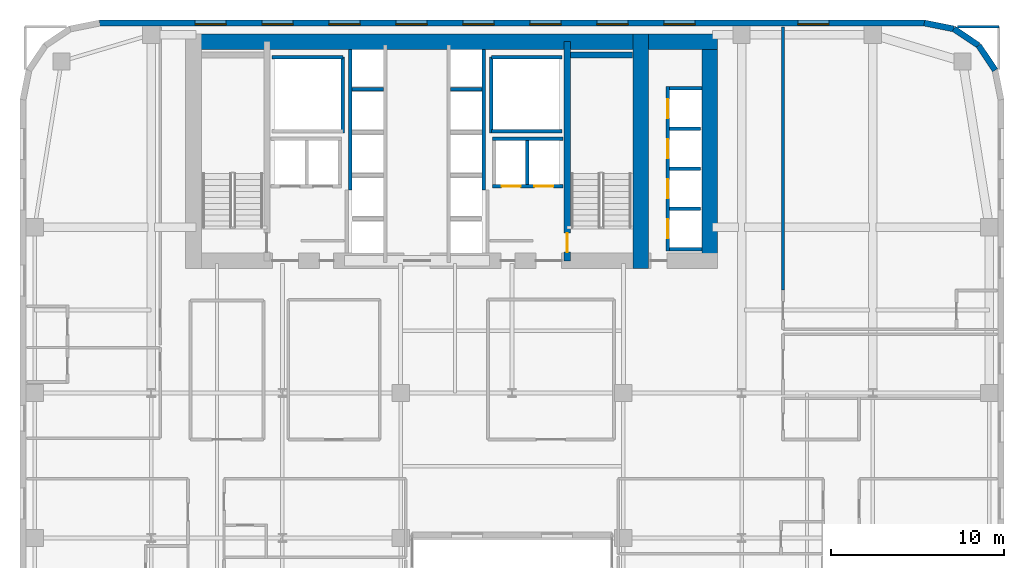
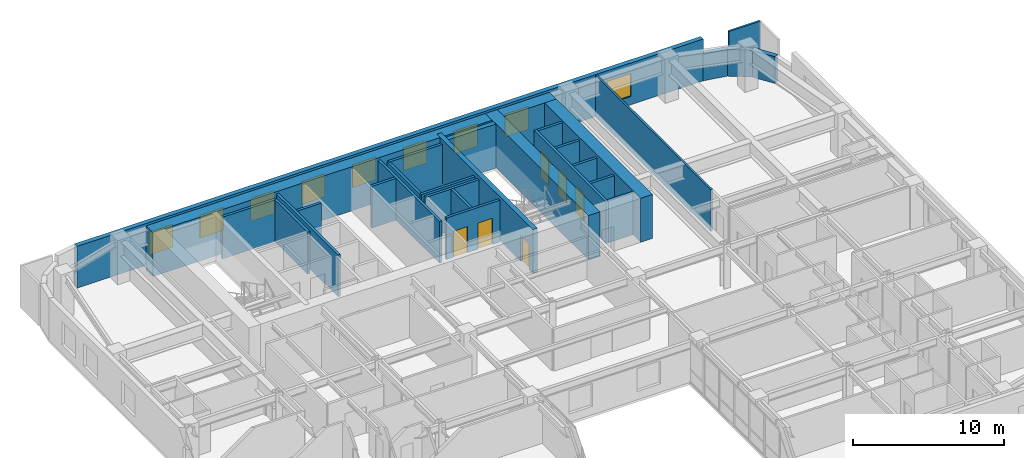
# One storey, part 15 of 17: 30 walls, 9 windows, 7 doors, 16 openings.
"""IFC4 building model written with IfcOpenShell, lengths in metres."""

from ifc_helpers import new_model, si_unit, direction, frame, frame_2d, origin, place, context, subcontext, project, spatial, rectangle, extrude, source, transform, mapped, material, layer, layer_set, type_object, type_shapes, element, fill, save


model = new_model("IFC4")

# Units and contexts
model_context = context("Model", 3, precision=1e-05, world=origin(), true_north=direction((0.0, 1.0)))
body_context = subcontext(model_context, "Body", "Model", "MODEL_VIEW")
ifc_project = project(units=[si_unit("LENGTHUNIT", "METRE"), si_unit("AREAUNIT", "SQUARE_METRE"), si_unit("VOLUMEUNIT", "CUBIC_METRE"), si_unit("PLANEANGLEUNIT", "RADIAN"), si_unit("MASSUNIT", "GRAM", prefix="KILO")], contexts=[model_context])

# Site, building, storey
site_placement = place(None, origin())
site = spatial("IfcSite", under=ifc_project, at=site_placement, CompositionType="ELEMENT")
building_placement = place(site_placement, origin())
building = spatial("IfcBuilding", under=site, at=building_placement, Name="Tolvann Quenvar Hotel", CompositionType="ELEMENT")
storey_placement = place(building_placement, frame((0.0, 0.0, 49.75)))
storey = spatial("IfcBuildingStorey", under=building, at=storey_placement, Name="L11", CompositionType="ELEMENT", Elevation=49.75)

# Walls
ifc_material_1 = material(Name="Concrete S80 (80 MPa)", Category="concrete")
ifc_layer_1 = layer(ifc_material_1, 0.89990234375)
ifc_layer_set_1 = layer_set([ifc_layer_1], Name="Concrete S80 (80 MPa)")
wall_type_1 = type_object("IfcWallType", Name="WALL_CORE_900", PredefinedType="SHEAR", material=ifc_layer_set_1)
wall_1_placement = place(storey_placement, frame((9.60009765625, 44.75, 0.0), z_axis=(0.0, 0.0, 1.0), x_axis=(1.0, 0.0, 0.0)))
element("IfcWall", 1, at=wall_1_placement, inside=storey, type_object=wall_type_1, Name="Rear Core N Shear Wall (L11)", PredefinedType="SHEAR", context=body_context, shape_type="SweptSolid", body=[
    extrude(rectangle(XDim=26.7998046875, YDim=0.89990234375, at=frame_2d((13.39990234375, 0.0))), origin(), (0.0, 0.0, 1.0), 3.550048828125),
])
wall_2_placement = place(storey_placement, frame((35.949951171875, 31.60009765625, 0.0), z_axis=(0.0, 0.0, 1.0), x_axis=(0.0, 1.0, 0.0)))
element("IfcWall", 2, at=wall_2_placement, inside=storey, type_object=wall_type_1, Name="Rear Core E Shear Wall (L11)", PredefinedType="SHEAR", context=body_context, shape_type="SweptSolid", body=[
    extrude(rectangle(XDim=13.599853515625, YDim=0.89990234375, at=frame_2d((6.7998046875, 0.0))), origin(), (0.0, 0.0, 1.0), 3.550048828125),
])
wall_3_placement = place(storey_placement, frame((36.39990234375, 44.75, 0.0), z_axis=(0.0, 0.0, 1.0), x_axis=(1.0, 0.0, 0.0)))
element("IfcWall", 3, at=wall_3_placement, inside=storey, type_object=wall_type_1, Name="Core East Annex Shear Wall ANN-N (L11)", PredefinedType="SHEAR", context=body_context, shape_type="SweptSolid", body=[
    extrude(rectangle(XDim=4.0, YDim=0.89990234375, at=frame_2d((2.0, 0.0))), origin(), (0.0, 0.0, 1.0), 3.550048828125),
])
wall_4_placement = place(storey_placement, frame((39.949951171875, 31.60009765625, 0.0), z_axis=(0.0, 0.0, 1.0), x_axis=(0.0, 1.0, 0.0)))
element("IfcWall", 4, at=wall_4_placement, inside=storey, type_object=wall_type_1, Name="Core East Annex Shear Wall ANN-E (L11)", PredefinedType="SHEAR", context=body_context, shape_type="SweptSolid", body=[
    extrude(rectangle(XDim=13.599853515625, YDim=0.89990234375, at=frame_2d((6.7998046875, 0.0))), origin(), (0.0, 0.0, 1.0), 3.550048828125),
])

# Wall, opening, door
ifc_material_2 = material(Name="Concrete S65 (65 MPa)", Category="concrete")
ifc_layer_2 = layer(ifc_material_2, 0.35009765625)
ifc_layer_set_2 = layer_set([ifc_layer_2], Name="Concrete S65 (65 MPa)")
wall_type_2 = type_object("IfcWallType", Name="WALL_CORE_INT_350", PredefinedType="SHEAR", material=ifc_layer_set_2)
wall_5_placement = place(storey_placement, frame((31.699951171875, 32.050048828125, 0.0), z_axis=(0.0, 0.0, 1.0), x_axis=(0.0, 1.0, 0.0)))
wall_5 = element("IfcWall", 5, at=wall_5_placement, inside=storey, type_object=wall_type_2, Name="Core Internal Web Shear Wall WEB-E (L11)", PredefinedType="SHEAR", context=body_context, shape_type="SweptSolid", body=[
    extrude(rectangle(XDim=12.699951171875, YDim=0.35009765625, at=frame_2d((6.35009765625, 0.0))), origin(), (0.0, 0.0, 1.0), 3.550048828125),
])
opening_1_placement = place(wall_5_placement, frame((1.60009765625, 0.0, 0.0), z_axis=(0.0, 0.0, 1.0), x_axis=(-1.0, 0.0, 0.0)))
opening_1 = element("IfcOpeningElement", 6, at=opening_1_placement, cuts=wall_5, Name="Opening FD-120", PredefinedType="OPENING", context=body_context, shape_type="SweptSolid", body=[
    extrude(rectangle(XDim=1.10009765625, YDim=2.1201171875, at=frame_2d((0.550048828125, 1.06005859375))), frame((0.0, 0.18505859375, 0.0), z_axis=(0.0, -1.0, 0.0), x_axis=(1.0, 0.0, 0.0)), (0.0, 0.0, 1.0), 0.3701171875),
])
ifc_material_3 = material(Name="Pressed galvanised steel fire-rated door set", Category="steel")
door_type_1 = type_object("IfcDoorType", Name="DOOR_FIRE_STAIR_1100", OperationType="NOTDEFINED", PredefinedType="DOOR", material=ifc_material_3)
shared_shape_1 = source(origin(), body_context, "Body", "SweptSolid", [
    extrude(rectangle(XDim=1.10009765625, YDim=2.1201171875, at=frame_2d((0.550048828125, 1.06005859375))), frame((0.0, 0.02490234375, 0.0), z_axis=(0.0, -1.0, 0.0), x_axis=(1.0, 0.0, 0.0)), (0.0, 0.0, 1.0), 0.050048828125),
])
type_shapes(door_type_1, [shared_shape_1])
door_1_placement = place(opening_1_placement, origin())
door_1 = element("IfcDoor", 7, at=door_1_placement, inside=storey, type_object=door_type_1, Name="Exit Stair ST-C2 Fire Door (L11)", OperationType="SINGLE_SWING_RIGHT", OverallHeight=2.1201171875, OverallWidth=1.10009765625, PredefinedType="DOOR", context=body_context, shape_type="MappedRepresentation", body=[
    mapped(shared_shape_1, transform((0.0, 0.0, 0.0), x_axis=(1.0, 0.0, 0.0), y_axis=(0.0, 1.0, 0.0), z_axis=(0.0, 0.0, 1.0), scale=1.0)),
])
fill(opening_1, door_1)

# Walls
wall_6_placement = place(storey_placement, frame((31.8798828125, 43.97509765625, 0.0), z_axis=(0.0, 0.0, 1.0), x_axis=(1.0, 0.0, 0.0)))
element("IfcWall", 8, at=wall_6_placement, inside=storey, type_object=wall_type_2, Name="Core Stair North Closing Shear Wall STC2-N (L11)", PredefinedType="SHEAR", context=body_context, shape_type="SweptSolid", body=[
    extrude(rectangle(XDim=3.60009765625, YDim=0.35009765625, at=frame_2d((1.800048828125, 0.0))), origin(), (0.0, 0.0, 1.0), 3.550048828125),
])
ifc_material_4 = material(Name="Kiln-fired red and buff architectural clay brickwork and terracotta masonry", Category="masonry")
ifc_layer_3 = layer(ifc_material_4, 0.35009765625)
ifc_layer_set_3 = layer_set([ifc_layer_3], Name="Kiln-fired red and buff architectural clay brickwork and terracotta masonry")
wall_type_3 = type_object("IfcWallType", Name="WALL_EXT_BRICK_350", PredefinedType="SOLIDWALL", material=ifc_layer_set_3)
for number, where, z_axis, x_axis, name in (
    (9, (56.485107421875, 43.092041015625, 0.0), (0.0, 0.0, 1.0), (-0.55554893791, 0.831483840845, 0.0), "Exterior Chicago Brick Wall L11-E15"),
    (10, (55.526611328125, 44.526611328125, 0.0), (0.0, 0.0, 1.0), (-0.831483840845, 0.55554893791, 0.0), "Exterior Chicago Brick Wall L11-E16"),
):
    element("IfcWall", number, at=place(storey_placement, frame(where, z_axis=z_axis, x_axis=x_axis)), inside=storey, type_object=wall_type_3, Name=name, PredefinedType="SOLIDWALL", context=body_context, shape_type="SweptSolid", body=[
        extrude(rectangle(XDim=1.725341796875, YDim=0.35009765625, at=frame_2d((0.86279296875, 0.0))), origin(), (0.0, 0.0, 1.0), 2.159912109375),
    ])
wall_7_placement = place(storey_placement, frame((54.092041015625, 45.485107421875, 0.0), z_axis=(0.0, 0.0, 1.0), x_axis=(-0.980800971659, 0.195011420161, 0.0)))
element("IfcWall", 11, at=wall_7_placement, inside=storey, type_object=wall_type_3, Name="Exterior Chicago Brick Wall L11-E17", PredefinedType="SOLIDWALL", context=body_context, shape_type="SweptSolid", body=[
    extrude(rectangle(XDim=1.74267578125, YDim=0.35009765625, at=frame_2d((0.871337890625, 0.0))), origin(), (0.0, 0.0, 1.0), 2.159912109375),
])

# Wall, openings, windows
wall_8_placement = place(storey_placement, frame((52.3828125, 45.824951171875, 0.0), z_axis=(0.0, 0.0, 1.0), x_axis=(-1.0, 0.0, 0.0)))
wall_8 = element("IfcWall", 12, at=wall_8_placement, inside=storey, type_object=wall_type_3, Name="Exterior Chicago Brick Wall L11-E18", PredefinedType="SOLIDWALL", context=body_context, shape_type="SweptSolid", body=[
    extrude(rectangle(XDim=47.765625, YDim=0.35009765625, at=frame_2d((23.8828125, 0.0))), origin(), (0.0, 0.0, 1.0), 3.3701171875),
])
opening_2_placement = place(wall_8_placement, frame((5.52099609375, 0.0, 0.679931640625)))
opening_2 = element("IfcOpeningElement", 13, at=opening_2_placement, cuts=wall_8, Name="Opening W-03", PredefinedType="OPENING", context=body_context, shape_type="SweptSolid", body=[
    extrude(rectangle(XDim=1.800048828125, YDim=1.85009765625, at=frame_2d((0.89990234375, 0.925048828125))), frame((0.0, 0.18505859375, 0.0), z_axis=(0.0, -1.0, 0.0), x_axis=(1.0, 0.0, 0.0)), (0.0, 0.0, 1.0), 0.3701171875),
])
opening_3_placement = place(wall_8_placement, frame((13.281982421875, 0.0, 0.679931640625)))
opening_3 = element("IfcOpeningElement", 14, at=opening_3_placement, cuts=wall_8, Name="Opening W-03", PredefinedType="OPENING", context=body_context, shape_type="SweptSolid", body=[
    extrude(rectangle(XDim=1.800048828125, YDim=1.85009765625, at=frame_2d((0.89990234375, 0.925048828125))), frame((0.0, 0.18505859375, 0.0), z_axis=(0.0, -1.0, 0.0), x_axis=(1.0, 0.0, 0.0)), (0.0, 0.0, 1.0), 0.3701171875),
])
opening_4_placement = place(wall_8_placement, frame((17.162109375, 0.0, 0.679931640625)))
opening_4 = element("IfcOpeningElement", 15, at=opening_4_placement, cuts=wall_8, Name="Opening W-03", PredefinedType="OPENING", context=body_context, shape_type="SweptSolid", body=[
    extrude(rectangle(XDim=1.800048828125, YDim=1.85009765625, at=frame_2d((0.89990234375, 0.925048828125))), frame((0.0, 0.18505859375, 0.0), z_axis=(0.0, -1.0, 0.0), x_axis=(1.0, 0.0, 0.0)), (0.0, 0.0, 1.0), 0.3701171875),
])
opening_5_placement = place(wall_8_placement, frame((21.04296875, 0.0, 0.679931640625)))
opening_5 = element("IfcOpeningElement", 16, at=opening_5_placement, cuts=wall_8, Name="Opening W-03", PredefinedType="OPENING", context=body_context, shape_type="SweptSolid", body=[
    extrude(rectangle(XDim=1.800048828125, YDim=1.85009765625, at=frame_2d((0.89990234375, 0.925048828125))), frame((0.0, 0.18505859375, 0.0), z_axis=(0.0, -1.0, 0.0), x_axis=(1.0, 0.0, 0.0)), (0.0, 0.0, 1.0), 0.3701171875),
])
opening_6_placement = place(wall_8_placement, frame((24.923095703125, 0.0, 0.679931640625)))
opening_6 = element("IfcOpeningElement", 17, at=opening_6_placement, cuts=wall_8, Name="Opening W-03", PredefinedType="OPENING", context=body_context, shape_type="SweptSolid", body=[
    extrude(rectangle(XDim=1.800048828125, YDim=1.85009765625, at=frame_2d((0.89990234375, 0.925048828125))), frame((0.0, 0.18505859375, 0.0), z_axis=(0.0, -1.0, 0.0), x_axis=(1.0, 0.0, 0.0)), (0.0, 0.0, 1.0), 0.3701171875),
])
opening_7_placement = place(wall_8_placement, frame((28.803955078125, 0.0, 0.679931640625)))
opening_7 = element("IfcOpeningElement", 18, at=opening_7_placement, cuts=wall_8, Name="Opening W-03", PredefinedType="OPENING", context=body_context, shape_type="SweptSolid", body=[
    extrude(rectangle(XDim=1.800048828125, YDim=1.85009765625, at=frame_2d((0.89990234375, 0.925048828125))), frame((0.0, 0.18505859375, 0.0), z_axis=(0.0, -1.0, 0.0), x_axis=(1.0, 0.0, 0.0)), (0.0, 0.0, 1.0), 0.3701171875),
])
opening_8_placement = place(wall_8_placement, frame((32.68408203125, 0.0, 0.679931640625)))
opening_8 = element("IfcOpeningElement", 19, at=opening_8_placement, cuts=wall_8, Name="Opening W-03", PredefinedType="OPENING", context=body_context, shape_type="SweptSolid", body=[
    extrude(rectangle(XDim=1.800048828125, YDim=1.85009765625, at=frame_2d((0.89990234375, 0.925048828125))), frame((0.0, 0.18505859375, 0.0), z_axis=(0.0, -1.0, 0.0), x_axis=(1.0, 0.0, 0.0)), (0.0, 0.0, 1.0), 0.3701171875),
])
opening_9_placement = place(wall_8_placement, frame((36.56396484375, 0.0, 0.679931640625)))
opening_9 = element("IfcOpeningElement", 20, at=opening_9_placement, cuts=wall_8, Name="Opening W-03", PredefinedType="OPENING", context=body_context, shape_type="SweptSolid", body=[
    extrude(rectangle(XDim=1.800048828125, YDim=1.85009765625, at=frame_2d((0.89990234375, 0.925048828125))), frame((0.0, 0.18505859375, 0.0), z_axis=(0.0, -1.0, 0.0), x_axis=(1.0, 0.0, 0.0)), (0.0, 0.0, 1.0), 0.3701171875),
])
opening_10_placement = place(wall_8_placement, frame((40.445068359375, 0.0, 0.679931640625)))
opening_10 = element("IfcOpeningElement", 21, at=opening_10_placement, cuts=wall_8, Name="Opening W-03", PredefinedType="OPENING", context=body_context, shape_type="SweptSolid", body=[
    extrude(rectangle(XDim=1.800048828125, YDim=1.85009765625, at=frame_2d((0.89990234375, 0.925048828125))), frame((0.0, 0.18505859375, 0.0), z_axis=(0.0, -1.0, 0.0), x_axis=(1.0, 0.0, 0.0)), (0.0, 0.0, 1.0), 0.3701171875),
])
ifc_material_5 = material(Name="Thermally broken bronze-anodised aluminium frame with double low-E glazing", Category="aluminium")
window_type = type_object("IfcWindowType", Name="WIN_CHI_1800x2050", PartitioningType="TRIPLE_PANEL_HORIZONTAL", PredefinedType="WINDOW", material=ifc_material_5)
shared_shape_2 = source(origin(), body_context, "Body", "SweptSolid", [
    extrude(rectangle(XDim=1.800048828125, YDim=1.85009765625, at=frame_2d((0.89990234375, 0.925048828125))), frame((0.0, 0.090087890625, 0.0), z_axis=(0.0, -1.0, 0.0), x_axis=(1.0, 0.0, 0.0)), (0.0, 0.0, 1.0), 0.06005859375),
])
type_shapes(window_type, [shared_shape_2])
window_1_placement = place(opening_2_placement, origin())
window_1 = element("IfcWindow", 22, at=window_1_placement, inside=storey, type_object=window_type, Name="Chicago Window W-03 (EW-L11-E18-W01)", OverallHeight=1.85009765625, OverallWidth=1.800048828125, PartitioningType="TRIPLE_PANEL_HORIZONTAL", PredefinedType="WINDOW", context=body_context, shape_type="MappedRepresentation", body=[
    mapped(shared_shape_2, transform((0.0, 0.0, 0.0), x_axis=(1.0, 0.0, 0.0), y_axis=(0.0, 1.0, 0.0), z_axis=(0.0, 0.0, 1.0), scale=1.0)),
])
fill(opening_2, window_1)
window_2_placement = place(opening_3_placement, origin())
window_2 = element("IfcWindow", 23, at=window_2_placement, inside=storey, type_object=window_type, Name="Chicago Window W-03 (EW-L11-E18-W02)", OverallHeight=1.85009765625, OverallWidth=1.800048828125, PartitioningType="TRIPLE_PANEL_HORIZONTAL", PredefinedType="WINDOW", context=body_context, shape_type="MappedRepresentation", body=[
    mapped(shared_shape_2, transform((0.0, 0.0, 0.0), x_axis=(1.0, 0.0, 0.0), y_axis=(0.0, 1.0, 0.0), z_axis=(0.0, 0.0, 1.0), scale=1.0)),
])
fill(opening_3, window_2)
window_3_placement = place(opening_4_placement, origin())
window_3 = element("IfcWindow", 24, at=window_3_placement, inside=storey, type_object=window_type, Name="Chicago Window W-03 (EW-L11-E18-W03)", OverallHeight=1.85009765625, OverallWidth=1.800048828125, PartitioningType="TRIPLE_PANEL_HORIZONTAL", PredefinedType="WINDOW", context=body_context, shape_type="MappedRepresentation", body=[
    mapped(shared_shape_2, transform((0.0, 0.0, 0.0), x_axis=(1.0, 0.0, 0.0), y_axis=(0.0, 1.0, 0.0), z_axis=(0.0, 0.0, 1.0), scale=1.0)),
])
fill(opening_4, window_3)
window_4_placement = place(opening_5_placement, origin())
window_4 = element("IfcWindow", 25, at=window_4_placement, inside=storey, type_object=window_type, Name="Chicago Window W-03 (EW-L11-E18-W04)", OverallHeight=1.85009765625, OverallWidth=1.800048828125, PartitioningType="TRIPLE_PANEL_HORIZONTAL", PredefinedType="WINDOW", context=body_context, shape_type="MappedRepresentation", body=[
    mapped(shared_shape_2, transform((0.0, 0.0, 0.0), x_axis=(1.0, 0.0, 0.0), y_axis=(0.0, 1.0, 0.0), z_axis=(0.0, 0.0, 1.0), scale=1.0)),
])
fill(opening_5, window_4)
window_5_placement = place(opening_6_placement, origin())
window_5 = element("IfcWindow", 26, at=window_5_placement, inside=storey, type_object=window_type, Name="Chicago Window W-03 (EW-L11-E18-W05)", OverallHeight=1.85009765625, OverallWidth=1.800048828125, PartitioningType="TRIPLE_PANEL_HORIZONTAL", PredefinedType="WINDOW", context=body_context, shape_type="MappedRepresentation", body=[
    mapped(shared_shape_2, transform((0.0, 0.0, 0.0), x_axis=(1.0, 0.0, 0.0), y_axis=(0.0, 1.0, 0.0), z_axis=(0.0, 0.0, 1.0), scale=1.0)),
])
fill(opening_6, window_5)
window_6_placement = place(opening_7_placement, origin())
window_6 = element("IfcWindow", 27, at=window_6_placement, inside=storey, type_object=window_type, Name="Chicago Window W-03 (EW-L11-E18-W06)", OverallHeight=1.85009765625, OverallWidth=1.800048828125, PartitioningType="TRIPLE_PANEL_HORIZONTAL", PredefinedType="WINDOW", context=body_context, shape_type="MappedRepresentation", body=[
    mapped(shared_shape_2, transform((0.0, 0.0, 0.0), x_axis=(1.0, 0.0, 0.0), y_axis=(0.0, 1.0, 0.0), z_axis=(0.0, 0.0, 1.0), scale=1.0)),
])
fill(opening_7, window_6)
window_7_placement = place(opening_8_placement, origin())
window_7 = element("IfcWindow", 28, at=window_7_placement, inside=storey, type_object=window_type, Name="Chicago Window W-03 (EW-L11-E18-W07)", OverallHeight=1.85009765625, OverallWidth=1.800048828125, PartitioningType="TRIPLE_PANEL_HORIZONTAL", PredefinedType="WINDOW", context=body_context, shape_type="MappedRepresentation", body=[
    mapped(shared_shape_2, transform((0.0, 0.0, 0.0), x_axis=(1.0, 0.0, 0.0), y_axis=(0.0, 1.0, 0.0), z_axis=(0.0, 0.0, 1.0), scale=1.0)),
])
fill(opening_8, window_7)
window_8_placement = place(opening_9_placement, origin())
window_8 = element("IfcWindow", 29, at=window_8_placement, inside=storey, type_object=window_type, Name="Chicago Window W-03 (EW-L11-E18-W08)", OverallHeight=1.85009765625, OverallWidth=1.800048828125, PartitioningType="TRIPLE_PANEL_HORIZONTAL", PredefinedType="WINDOW", context=body_context, shape_type="MappedRepresentation", body=[
    mapped(shared_shape_2, transform((0.0, 0.0, 0.0), x_axis=(1.0, 0.0, 0.0), y_axis=(0.0, 1.0, 0.0), z_axis=(0.0, 0.0, 1.0), scale=1.0)),
])
fill(opening_9, window_8)
window_9_placement = place(opening_10_placement, origin())
window_9 = element("IfcWindow", 30, at=window_9_placement, inside=storey, type_object=window_type, Name="Chicago Window W-03 (EW-L11-E18-W09)", OverallHeight=1.85009765625, OverallWidth=1.800048828125, PartitioningType="TRIPLE_PANEL_HORIZONTAL", PredefinedType="WINDOW", context=body_context, shape_type="MappedRepresentation", body=[
    mapped(shared_shape_2, transform((0.0, 0.0, 0.0), x_axis=(1.0, 0.0, 0.0), y_axis=(0.0, 1.0, 0.0), z_axis=(0.0, 0.0, 1.0), scale=1.0)),
])
fill(opening_10, window_9)

# Walls
ifc_material_6 = material(Name="Acoustic twin-stud fire-rated gypsum plasterboard partition")
ifc_layer_4 = layer(ifc_material_6, 0.14990234375)
ifc_layer_set_4 = layer_set([ifc_layer_4], Name="Acoustic twin-stud fire-rated gypsum plasterboard partition")
wall_type_4 = type_object("IfcWallType", Name="WALL_PART_SUITE_150", PredefinedType="PARTITIONING", material=ifc_layer_set_4)
wall_9_placement = place(storey_placement, frame((54.303955078125, 45.6201171875, 0.0), z_axis=(0.0, 0.0, 1.0), x_axis=(1.0, 0.0, 0.0)))
element("IfcWall", 31, at=wall_9_placement, inside=storey, type_object=wall_type_4, Name="Interior Partition PT-SPC-L11-RM-NE01-E5", PredefinedType="PARTITIONING", context=body_context, shape_type="SweptSolid", body=[
    extrude(rectangle(XDim=2.39599609375, YDim=0.14990234375, at=frame_2d((1.197998046875, 0.0))), origin(), (0.0, 0.0, 1.0), 3.3701171875),
])
wall_10_placement = place(storey_placement, frame((44.199951171875, 30.3701171875, 0.0), z_axis=(0.0, 0.0, 1.0), x_axis=(0.0, 1.0, 0.0)))
element("IfcWall", 32, at=wall_10_placement, inside=storey, type_object=wall_type_4, Name="Interior Partition PT-SPC-L11-RM-NE01-E6", PredefinedType="PARTITIONING", context=body_context, shape_type="SweptSolid", body=[
    extrude(rectangle(XDim=15.224853515625, YDim=0.14990234375, at=frame_2d((7.6123046875, 0.0))), origin(), (0.0, 0.0, 1.0), 3.3701171875),
])
ifc_material_7 = material(Name="Concrete N40 (40 MPa)", Category="concrete")
ifc_layer_5 = layer(ifc_material_7, 0.199951171875)
ifc_layer_set_5 = layer_set([ifc_layer_5], Name="Concrete N40 (40 MPa)")
wall_type_5 = type_object("IfcWallType", Name="WALL_SHAFT_200", PredefinedType="SOLIDWALL", material=ifc_layer_set_5)
wall_11_placement = place(storey_placement, frame((18.699951171875, 39.449951171875, 0.0), z_axis=(0.0, 0.0, 1.0), x_axis=(0.0, 1.0, 0.0)))
element("IfcWall", 33, at=wall_11_placement, inside=storey, type_object=wall_type_5, Name="Service Riser W Shaft Wall IN (L11)", PredefinedType="SOLIDWALL", context=body_context, shape_type="SweptSolid", body=[
    extrude(rectangle(XDim=4.400146484375, YDim=0.199951171875, at=frame_2d((2.2001953125, 0.0))), origin(), (0.0, 0.0, 1.0), 3.3701171875),
])
wall_12_placement = place(storey_placement, frame((14.60009765625, 43.85009765625, 0.0), z_axis=(0.0, 0.0, 1.0), x_axis=(1.0, 0.0, 0.0)))
element("IfcWall", 34, at=wall_12_placement, inside=storey, type_object=wall_type_5, Name="Service Riser W Shaft Wall N (L11)", PredefinedType="SOLIDWALL", context=body_context, shape_type="SweptSolid", body=[
    extrude(rectangle(XDim=4.099853515625, YDim=0.199951171875, at=frame_2d((2.0498046875, 0.0))), origin(), (0.0, 0.0, 1.0), 3.3701171875),
])
wall_13_placement = place(storey_placement, frame((27.300048828125, 39.449951171875, 0.0), z_axis=(0.0, 0.0, 1.0), x_axis=(0.0, 1.0, 0.0)))
element("IfcWall", 35, at=wall_13_placement, inside=storey, type_object=wall_type_5, Name="Service Riser E Shaft Wall IN (L11)", PredefinedType="SOLIDWALL", context=body_context, shape_type="SweptSolid", body=[
    extrude(rectangle(XDim=4.400146484375, YDim=0.199951171875, at=frame_2d((2.2001953125, 0.0))), origin(), (0.0, 0.0, 1.0), 3.3701171875),
])
for number, where, z_axis, x_axis, name in (
    (36, (27.300048828125, 39.550048828125, 0.0), (0.0, 0.0, 1.0), (1.0, 0.0, 0.0), "Service Riser E Shaft Wall S (L11)"),
    (37, (27.300048828125, 43.85009765625, 0.0), (0.0, 0.0, 1.0), (1.0, 0.0, 0.0), "Service Riser E Shaft Wall N (L11)"),
):
    element("IfcWall", number, at=place(storey_placement, frame(where, z_axis=z_axis, x_axis=x_axis)), inside=storey, type_object=wall_type_5, Name=name, PredefinedType="SOLIDWALL", context=body_context, shape_type="SweptSolid", body=[
        extrude(rectangle(XDim=4.099853515625, YDim=0.199951171875, at=frame_2d((2.0498046875, 0.0))), origin(), (0.0, 0.0, 1.0), 3.3701171875),
    ])
wall_14_placement = place(storey_placement, frame((19.1298828125, 36.159912109375, 0.0), z_axis=(0.0, 0.0, 1.0), x_axis=(0.0, 1.0, 0.0)))
element("IfcWall", 38, at=wall_14_placement, inside=storey, type_object=wall_type_5, Name="Lift Bank E21.1C1 Hoistway Rear Wall (L11)", PredefinedType="SOLIDWALL", context=body_context, shape_type="SweptSolid", body=[
    extrude(rectangle(XDim=8.135986328125, YDim=0.199951171875, at=frame_2d((4.06787109375, 0.0))), origin(), (0.0, 0.0, 1.0), 3.3701171875),
])
wall_15_placement = place(storey_placement, frame((19.22998046875, 42.0, 0.0), z_axis=(0.0, 0.0, 1.0), x_axis=(1.0, 0.0, 0.0)))
element("IfcWall", 39, at=wall_15_placement, inside=storey, type_object=wall_type_5, Name="Lift Bank E21.1C1 Divider Wall 4 (L11)", PredefinedType="SOLIDWALL", context=body_context, shape_type="SweptSolid", body=[
    extrude(rectangle(XDim=1.840087890625, YDim=0.199951171875, at=frame_2d((0.919921875, 0.0))), origin(), (0.0, 0.0, 1.0), 3.3701171875),
])

# Wall, openings, doors
wall_16_placement = place(storey_placement, frame((27.375, 36.3798828125, 0.0), z_axis=(0.0, 0.0, 1.0), x_axis=(1.0, 0.0, 0.0)))
wall_16 = element("IfcWall", 40, at=wall_16_placement, inside=storey, type_object=wall_type_5, Name="Lift Bank SEC1 Hoistway Front Wall (L11)", PredefinedType="SOLIDWALL", context=body_context, shape_type="SweptSolid", body=[
    extrude(rectangle(XDim=4.074951171875, YDim=0.199951171875, at=frame_2d((2.03759765625, 0.0))), origin(), (0.0, 0.0, 1.0), 3.3701171875),
])
opening_11_placement = place(wall_16_placement, frame((0.52490234375, 0.0, 0.0)))
opening_11 = element("IfcOpeningElement", 41, at=opening_11_placement, cuts=wall_16, Name="Opening LD-01", PredefinedType="OPENING", context=body_context, shape_type="SweptSolid", body=[
    extrude(rectangle(XDim=1.10009765625, YDim=2.1201171875, at=frame_2d((0.550048828125, 1.06005859375))), frame((0.0, 0.10986328125, 0.0), z_axis=(0.0, -1.0, 0.0), x_axis=(1.0, 0.0, 0.0)), (0.0, 0.0, 1.0), 0.219970703125),
])
opening_12_placement = place(wall_16_placement, frame((2.425048828125, 0.0, 0.0)))
opening_12 = element("IfcOpeningElement", 42, at=opening_12_placement, cuts=wall_16, Name="Opening LD-01", PredefinedType="OPENING", context=body_context, shape_type="SweptSolid", body=[
    extrude(rectangle(XDim=1.10009765625, YDim=2.1201171875, at=frame_2d((0.550048828125, 1.06005859375))), frame((0.0, 0.10986328125, 0.0), z_axis=(0.0, -1.0, 0.0), x_axis=(1.0, 0.0, 0.0)), (0.0, 0.0, 1.0), 0.219970703125),
])
ifc_material_8 = material(Name="Brushed 316 stainless steel automatic sliding lift landing door", Category="steel")
door_type_2 = type_object("IfcDoorType", Name="DOOR_LIFT_SLIDE_1100", OperationType="NOTDEFINED", PredefinedType="DOOR", material=ifc_material_8)
shared_shape_3 = source(origin(), body_context, "Body", "SweptSolid", [
    extrude(rectangle(XDim=1.10009765625, YDim=2.1201171875, at=frame_2d((0.550048828125, 1.06005859375))), frame((0.0, 0.02490234375, 0.0), z_axis=(0.0, -1.0, 0.0), x_axis=(1.0, 0.0, 0.0)), (0.0, 0.0, 1.0), 0.050048828125),
])
type_shapes(door_type_2, [shared_shape_3])
door_2_placement = place(opening_11_placement, origin())
door_2 = element("IfcDoor", 43, at=door_2_placement, inside=storey, type_object=door_type_2, Name="Lift SV-2 Sliding Landing Door (L11)", OperationType="SLIDING_TO_LEFT", OverallHeight=2.1201171875, OverallWidth=1.10009765625, PredefinedType="DOOR", context=body_context, shape_type="MappedRepresentation", body=[
    mapped(shared_shape_3, transform((0.0, 0.0, 0.0), x_axis=(1.0, 0.0, 0.0), y_axis=(0.0, 1.0, 0.0), z_axis=(0.0, 0.0, 1.0), scale=1.0)),
])
fill(opening_11, door_2)
door_3_placement = place(opening_12_placement, origin())
door_3 = element("IfcDoor", 44, at=door_3_placement, inside=storey, type_object=door_type_2, Name="Lift FF-2 Sliding Landing Door (L11)", OperationType="SLIDING_TO_RIGHT", OverallHeight=2.1201171875, OverallWidth=1.10009765625, PredefinedType="DOOR", context=body_context, shape_type="MappedRepresentation", body=[
    mapped(shared_shape_3, transform((0.0, 0.0, 0.0), x_axis=(1.0, 0.0, 0.0), y_axis=(0.0, 1.0, 0.0), z_axis=(0.0, 0.0, 1.0), scale=1.0)),
])
fill(opening_12, door_3)

# Walls
wall_17_placement = place(storey_placement, frame((27.375, 39.1201171875, 0.0), z_axis=(0.0, 0.0, 1.0), x_axis=(1.0, 0.0, 0.0)))
element("IfcWall", 45, at=wall_17_placement, inside=storey, type_object=wall_type_5, Name="Lift Bank SEC1 Hoistway Rear Wall (L11)", PredefinedType="SOLIDWALL", context=body_context, shape_type="SweptSolid", body=[
    extrude(rectangle(XDim=4.074951171875, YDim=0.199951171875, at=frame_2d((2.03759765625, 0.0))), origin(), (0.0, 0.0, 1.0), 3.3701171875),
])
wall_18_placement = place(storey_placement, frame((29.387451171875, 36.47998046875, 0.0), z_axis=(0.0, 0.0, 1.0), x_axis=(0.0, 1.0, 0.0)))
element("IfcWall", 46, at=wall_18_placement, inside=storey, type_object=wall_type_5, Name="Lift Bank SEC1 Divider Wall 1 (L11)", PredefinedType="SOLIDWALL", context=body_context, shape_type="SweptSolid", body=[
    extrude(rectangle(XDim=2.5400390625, YDim=0.199951171875, at=frame_2d((1.27001953125, 0.0))), origin(), (0.0, 0.0, 1.0), 3.3701171875),
])
wall_19_placement = place(storey_placement, frame((26.8701171875, 36.159912109375, 0.0), z_axis=(0.0, 0.0, 1.0), x_axis=(0.0, 1.0, 0.0)))
element("IfcWall", 47, at=wall_19_placement, inside=storey, type_object=wall_type_5, Name="Lift Bank W24.9C1 Hoistway Rear Wall (L11)", PredefinedType="SOLIDWALL", context=body_context, shape_type="SweptSolid", body=[
    extrude(rectangle(XDim=8.135986328125, YDim=0.199951171875, at=frame_2d((4.06787109375, 0.0))), origin(), (0.0, 0.0, 1.0), 3.3701171875),
])
wall_20_placement = place(storey_placement, frame((24.929931640625, 42.0, 0.0), z_axis=(0.0, 0.0, 1.0), x_axis=(1.0, 0.0, 0.0)))
element("IfcWall", 48, at=wall_20_placement, inside=storey, type_object=wall_type_5, Name="Lift Bank W24.9C1 Divider Wall 4 (L11)", PredefinedType="SOLIDWALL", context=body_context, shape_type="SweptSolid", body=[
    extrude(rectangle(XDim=1.840087890625, YDim=0.199951171875, at=frame_2d((0.919921875, 0.0))), origin(), (0.0, 0.0, 1.0), 3.3701171875),
])

# Wall, openings, doors
wall_21_placement = place(storey_placement, frame((37.530029296875, 32.610107421875, 0.0), z_axis=(0.0, 0.0, 1.0), x_axis=(0.0, 1.0, 0.0)))
wall_21 = element("IfcWall", 49, at=wall_21_placement, inside=storey, type_object=wall_type_5, Name="Lift Bank W37.6C1 Hoistway Front Wall (L11)", PredefinedType="SOLIDWALL", context=body_context, shape_type="SweptSolid", body=[
    extrude(rectangle(XDim=9.539794921875, YDim=0.199951171875, at=frame_2d((4.77001953125, 0.0))), origin(), (0.0, 0.0, 1.0), 3.3701171875),
])
opening_13_placement = place(wall_21_placement, frame((0.739990234375, 0.0, 0.0)))
opening_13 = element("IfcOpeningElement", 50, at=opening_13_placement, cuts=wall_21, Name="Opening LD-01", PredefinedType="OPENING", context=body_context, shape_type="SweptSolid", body=[
    extrude(rectangle(XDim=1.10009765625, YDim=2.1201171875, at=frame_2d((0.550048828125, 1.06005859375))), frame((0.0, 0.10986328125, 0.0), z_axis=(0.0, -1.0, 0.0), x_axis=(1.0, 0.0, 0.0)), (0.0, 0.0, 1.0), 0.219970703125),
])
opening_14_placement = place(wall_21_placement, frame((3.06005859375, 0.0, 0.0)))
opening_14 = element("IfcOpeningElement", 51, at=opening_14_placement, cuts=wall_21, Name="Opening LD-01", PredefinedType="OPENING", context=body_context, shape_type="SweptSolid", body=[
    extrude(rectangle(XDim=1.10009765625, YDim=2.1201171875, at=frame_2d((0.550048828125, 1.06005859375))), frame((0.0, 0.10986328125, 0.0), z_axis=(0.0, -1.0, 0.0), x_axis=(1.0, 0.0, 0.0)), (0.0, 0.0, 1.0), 0.219970703125),
])
opening_15_placement = place(wall_21_placement, frame((5.3798828125, 0.0, 0.0)))
opening_15 = element("IfcOpeningElement", 52, at=opening_15_placement, cuts=wall_21, Name="Opening LD-01", PredefinedType="OPENING", context=body_context, shape_type="SweptSolid", body=[
    extrude(rectangle(XDim=1.10009765625, YDim=2.1201171875, at=frame_2d((0.550048828125, 1.06005859375))), frame((0.0, 0.10986328125, 0.0), z_axis=(0.0, -1.0, 0.0), x_axis=(1.0, 0.0, 0.0)), (0.0, 0.0, 1.0), 0.219970703125),
])
opening_16_placement = place(wall_21_placement, frame((7.699951171875, 0.0, 0.0)))
opening_16 = element("IfcOpeningElement", 53, at=opening_16_placement, cuts=wall_21, Name="Opening LD-01", PredefinedType="OPENING", context=body_context, shape_type="SweptSolid", body=[
    extrude(rectangle(XDim=1.10009765625, YDim=2.1201171875, at=frame_2d((0.550048828125, 1.06005859375))), frame((0.0, 0.10986328125, 0.0), z_axis=(0.0, -1.0, 0.0), x_axis=(1.0, 0.0, 0.0)), (0.0, 0.0, 1.0), 0.219970703125),
])
door_4_placement = place(opening_13_placement, origin())
door_4 = element("IfcDoor", 54, at=door_4_placement, inside=storey, type_object=door_type_2, Name="Lift PL-1 Sliding Landing Door (L11)", OperationType="SLIDING_TO_LEFT", OverallHeight=2.1201171875, OverallWidth=1.10009765625, PredefinedType="DOOR", context=body_context, shape_type="MappedRepresentation", body=[
    mapped(shared_shape_3, transform((0.0, 0.0, 0.0), x_axis=(1.0, 0.0, 0.0), y_axis=(0.0, 1.0, 0.0), z_axis=(0.0, 0.0, 1.0), scale=1.0)),
])
fill(opening_13, door_4)
door_5_placement = place(opening_14_placement, origin())
door_5 = element("IfcDoor", 55, at=door_5_placement, inside=storey, type_object=door_type_2, Name="Lift PL-2 Sliding Landing Door (L11)", OperationType="SLIDING_TO_RIGHT", OverallHeight=2.1201171875, OverallWidth=1.10009765625, PredefinedType="DOOR", context=body_context, shape_type="MappedRepresentation", body=[
    mapped(shared_shape_3, transform((0.0, 0.0, 0.0), x_axis=(1.0, 0.0, 0.0), y_axis=(0.0, 1.0, 0.0), z_axis=(0.0, 0.0, 1.0), scale=1.0)),
])
fill(opening_14, door_5)
door_6_placement = place(opening_15_placement, origin())
door_6 = element("IfcDoor", 56, at=door_6_placement, inside=storey, type_object=door_type_2, Name="Lift PL-3 Sliding Landing Door (L11)", OperationType="SLIDING_TO_LEFT", OverallHeight=2.1201171875, OverallWidth=1.10009765625, PredefinedType="DOOR", context=body_context, shape_type="MappedRepresentation", body=[
    mapped(shared_shape_3, transform((0.0, 0.0, 0.0), x_axis=(1.0, 0.0, 0.0), y_axis=(0.0, 1.0, 0.0), z_axis=(0.0, 0.0, 1.0), scale=1.0)),
])
fill(opening_15, door_6)
door_7_placement = place(opening_16_placement, origin())
door_7 = element("IfcDoor", 57, at=door_7_placement, inside=storey, type_object=door_type_2, Name="Lift PL-4 Sliding Landing Door (L11)", OperationType="SLIDING_TO_RIGHT", OverallHeight=2.1201171875, OverallWidth=1.10009765625, PredefinedType="DOOR", context=body_context, shape_type="MappedRepresentation", body=[
    mapped(shared_shape_3, transform((0.0, 0.0, 0.0), x_axis=(1.0, 0.0, 0.0), y_axis=(0.0, 1.0, 0.0), z_axis=(0.0, 0.0, 1.0), scale=1.0)),
])
fill(opening_16, door_7)

# Walls
for number, where, z_axis, x_axis, name in (
    (58, (37.6298828125, 32.7099609375, 0.0), (0.0, 0.0, 1.0), (1.0, 0.0, 0.0), "Lift Bank W37.6C1 Hoistway Cheek Wall 1 (L11)"),
    (59, (37.6298828125, 42.050048828125, 0.0), (0.0, 0.0, 1.0), (1.0, 0.0, 0.0), "Lift Bank W37.6C1 Hoistway Cheek Wall 2 (L11)"),
):
    element("IfcWall", number, at=place(storey_placement, frame(where, z_axis=z_axis, x_axis=x_axis)), inside=storey, type_object=wall_type_5, Name=name, PredefinedType="SOLIDWALL", context=body_context, shape_type="SweptSolid", body=[
        extrude(rectangle(XDim=1.8701171875, YDim=0.199951171875, at=frame_2d((0.93505859375, 0.0))), origin(), (0.0, 0.0, 1.0), 3.3701171875),
    ])
for number, where, z_axis, x_axis, name in (
    (60, (37.6298828125, 35.06005859375, 0.0), (0.0, 0.0, 1.0), (1.0, 0.0, 0.0), "Lift Bank W37.6C1 Divider Wall 1 (L11)"),
    (61, (37.6298828125, 37.3798828125, 0.0), (0.0, 0.0, 1.0), (1.0, 0.0, 0.0), "Lift Bank W37.6C1 Divider Wall 2 (L11)"),
    (62, (37.6298828125, 39.699951171875, 0.0), (0.0, 0.0, 1.0), (1.0, 0.0, 0.0), "Lift Bank W37.6C1 Divider Wall 3 (L11)"),
):
    element("IfcWall", number, at=place(storey_placement, frame(where, z_axis=z_axis, x_axis=x_axis)), inside=storey, type_object=wall_type_5, Name=name, PredefinedType="SOLIDWALL", context=body_context, shape_type="SweptSolid", body=[
        extrude(rectangle(XDim=1.800048828125, YDim=0.199951171875, at=frame_2d((0.89990234375, 0.0))), origin(), (0.0, 0.0, 1.0), 3.3701171875),
    ])

save(model, "model.ifc")
